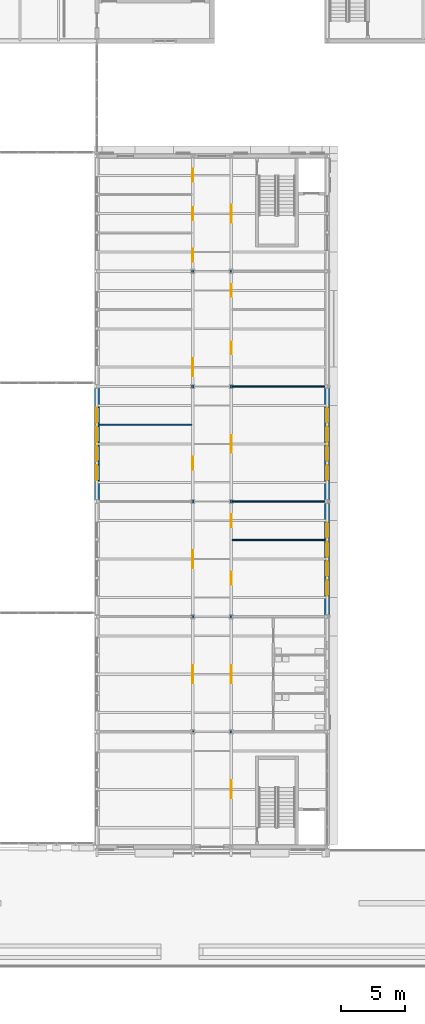
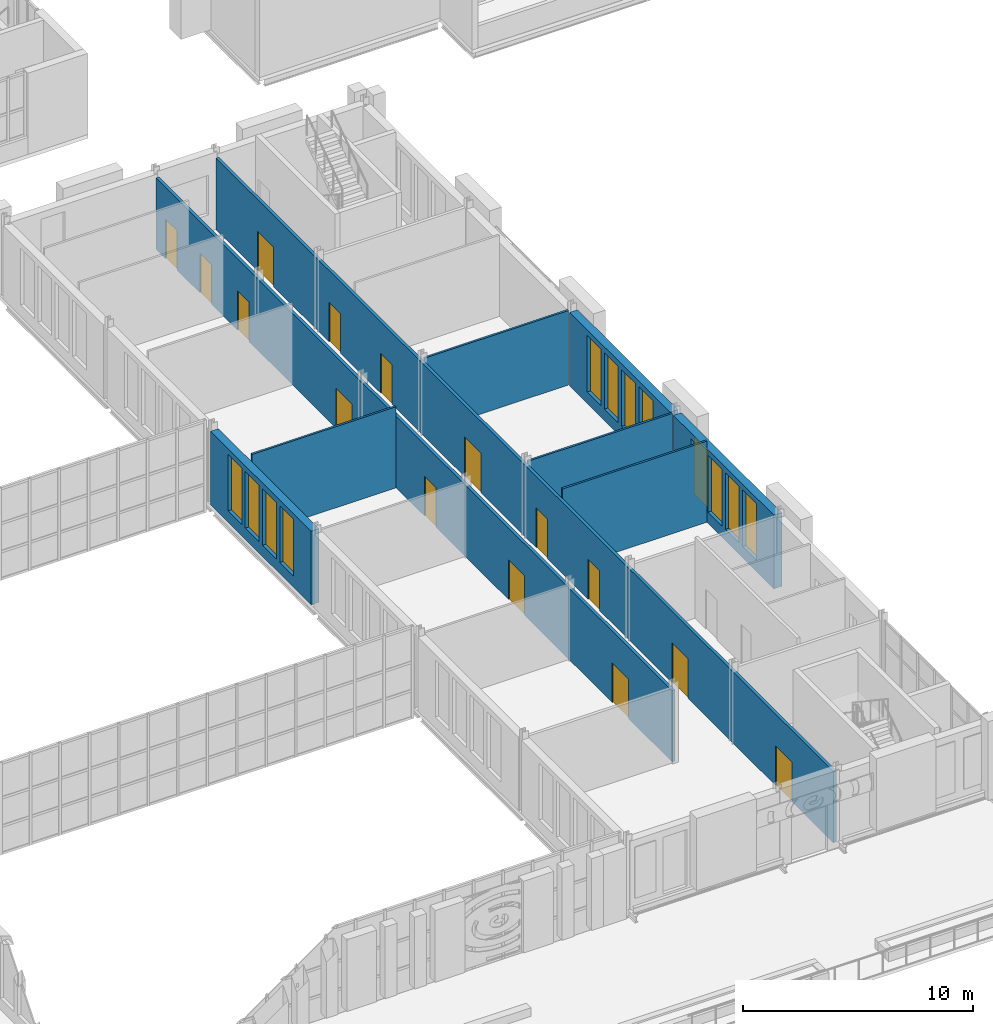
# One storey, part 77 of 134: 15 doors, 12 windows, 9 walls, 27 openings.
"""IFC4 building model written with IfcOpenShell, lengths in metres."""

from ifc_helpers import new_model, si_unit, direction, frame, frame_2d, origin, place, context, subcontext, project, spatial, rectangle, extrude, material, layer, layer_set, type_object, element, fill, save


model = new_model("IFC4")

# Units and contexts
model_context = context("Model", 3, precision=1e-05, world=origin(), true_north=direction((0.0, 1.0)))
body_context = subcontext(model_context, "Body", "Model", "MODEL_VIEW")
ifc_project = project(units=[si_unit("LENGTHUNIT", "METRE"), si_unit("AREAUNIT", "SQUARE_METRE"), si_unit("VOLUMEUNIT", "CUBIC_METRE"), si_unit("PLANEANGLEUNIT", "RADIAN"), si_unit("MASSUNIT", "GRAM", prefix="KILO")], contexts=[model_context])

# Site, building, storey
site_placement = place(None, origin())
site = spatial("IfcSite", under=ifc_project, at=site_placement, CompositionType="ELEMENT")
building_placement = place(site_placement, origin())
building = spatial("IfcBuilding", under=site, at=building_placement, Name="Golden Quay Civic Hall", CompositionType="ELEMENT")
storey_placement = place(building_placement, frame((0.0, 0.0, 5.39990234375)))
storey = spatial("IfcBuildingStorey", under=building, at=storey_placement, Name="L01", CompositionType="ELEMENT", Elevation=5.39990234375)

# Walls
ifc_material_1 = material(Name="Plasterboard on steel studs", Category="steel")
ifc_layer_1 = layer(ifc_material_1, 0.10009765625)
ifc_layer_set_1 = layer_set([ifc_layer_1], Name="Partition 100 stud")
wall_type_1 = type_object("IfcWallType", Name="Partition 100 stud", PredefinedType="PARTITIONING", material=ifc_layer_set_1)
wall_1_placement = place(storey_placement, frame((109.574951171875, 24.0, 0.0), z_axis=(0.0, 0.0, 1.0), x_axis=(1.0, 0.0, 0.0)))
element("IfcWall", 1, at=wall_1_placement, inside=storey, type_object=wall_type_1, Name="Partition L01-001", PredefinedType="PARTITIONING", context=body_context, shape_type="SweptSolid", body=[
    extrude(rectangle(XDim=7.22509765625, YDim=0.10009765625, at=frame_2d((3.612548828125, 0.0))), origin(), (0.0, 0.0, 1.0), 4.300048828125),
])
for number, where, z_axis, x_axis, name in (
    (2, (109.574951171875, 27.0, 0.0), (0.0, 0.0, 1.0), (1.0, 0.0, 0.0), "Partition L01-002"),
    (3, (109.574951171875, 36.0, 0.0), (0.0, 0.0, 1.0), (1.0, 0.0, 0.0), "Partition L01-003"),
):
    element("IfcWall", number, at=place(storey_placement, frame(where, z_axis=z_axis, x_axis=x_axis)), inside=storey, type_object=wall_type_1, Name=name, PredefinedType="PARTITIONING", context=body_context, shape_type="SweptSolid", body=[
        extrude(rectangle(XDim=7.22509765625, YDim=0.10009765625, at=frame_2d((3.612548828125, 0.0))), origin(), (0.0, 0.0, 1.0), 3.9501953125),
    ])
wall_2_placement = place(storey_placement, frame((99.199951171875, 33.0, 0.0), z_axis=(0.0, 0.0, 1.0), x_axis=(1.0, 0.0, 0.0)))
element("IfcWall", 4, at=wall_2_placement, inside=storey, type_object=wall_type_1, Name="Partition L01-009", PredefinedType="PARTITIONING", context=body_context, shape_type="SweptSolid", body=[
    extrude(rectangle(XDim=7.22509765625, YDim=0.10009765625, at=frame_2d((3.612548828125, 0.0))), origin(), (0.0, 0.0, 1.0), 4.300048828125),
])

# Wall, openings, doors
ifc_material_2 = material(Name="Plasterboard on steel studs", Category="steel")
ifc_layer_2 = layer(ifc_material_2, 0.14990234375)
ifc_layer_set_2 = layer_set([ifc_layer_2], Name="Partition 150 stud fire EI 60")
wall_type_2 = type_object("IfcWallType", Name="Partition 150 stud fire EI 60", PredefinedType="PARTITIONING", material=ifc_layer_set_2)
wall_3_placement = place(storey_placement, frame((109.5, 0.199951171875, 0.0), z_axis=(0.0, 0.0, 1.0), x_axis=(0.0, 1.0, 0.0)))
wall_3 = element("IfcWall", 5, at=wall_3_placement, inside=storey, type_object=wall_type_2, Name="Partition L01-014", PredefinedType="PARTITIONING", context=body_context, shape_type="SweptSolid", body=[
    extrude(rectangle(XDim=53.60009765625, YDim=0.14990234375, at=frame_2d((26.800048828125, 0.0))), origin(), (0.0, 0.0, 1.0), 3.780029296875),
])
opening_1_placement = place(wall_3_placement, frame((20.300048828125, 0.0, 0.0)))
opening_1 = element("IfcOpeningElement", 6, at=opening_1_placement, cuts=wall_3, Name="Opening L01-D109", PredefinedType="OPENING", context=body_context, shape_type="SweptSolid", body=[
    extrude(rectangle(XDim=1.0, YDim=2.10009765625, at=frame_2d((0.5, 1.050048828125))), frame((0.0, 0.0849609375, 0.0), z_axis=(0.0, -1.0, 0.0), x_axis=(1.0, 0.0, 0.0)), (0.0, 0.0, 1.0), 0.169921875),
])
opening_2_placement = place(wall_3_placement, frame((24.800048828125, 0.0, 0.0)))
opening_2 = element("IfcOpeningElement", 7, at=opening_2_placement, cuts=wall_3, Name="Opening L01-D110", PredefinedType="OPENING", context=body_context, shape_type="SweptSolid", body=[
    extrude(rectangle(XDim=1.0, YDim=2.10009765625, at=frame_2d((0.5, 1.050048828125))), frame((0.0, 0.0849609375, 0.0), z_axis=(0.0, -1.0, 0.0), x_axis=(1.0, 0.0, 0.0)), (0.0, 0.0, 1.0), 0.169921875),
])
opening_3_placement = place(wall_3_placement, frame((30.60009765625, 0.0, 0.0)))
opening_3 = element("IfcOpeningElement", 8, at=opening_3_placement, cuts=wall_3, Name="Opening L01-D111", PredefinedType="OPENING", context=body_context, shape_type="SweptSolid", body=[
    extrude(rectangle(XDim=1.39990234375, YDim=2.10009765625, at=frame_2d((0.699951171875, 1.050048828125))), frame((0.0, 0.0849609375, 0.0), z_axis=(0.0, -1.0, 0.0), x_axis=(1.0, 0.0, 0.0)), (0.0, 0.0, 1.0), 0.169921875),
])
opening_4_placement = place(wall_3_placement, frame((38.300048828125, 0.0, 0.0)))
opening_4 = element("IfcOpeningElement", 9, at=opening_4_placement, cuts=wall_3, Name="Opening L01-D112", PredefinedType="OPENING", context=body_context, shape_type="SweptSolid", body=[
    extrude(rectangle(XDim=1.0, YDim=2.10009765625, at=frame_2d((0.5, 1.050048828125))), frame((0.0, 0.0849609375, 0.0), z_axis=(0.0, -1.0, 0.0), x_axis=(1.0, 0.0, 0.0)), (0.0, 0.0, 1.0), 0.169921875),
])
opening_5_placement = place(wall_3_placement, frame((42.800048828125, 0.0, 0.0)))
opening_5 = element("IfcOpeningElement", 10, at=opening_5_placement, cuts=wall_3, Name="Opening L01-D113", PredefinedType="OPENING", context=body_context, shape_type="SweptSolid", body=[
    extrude(rectangle(XDim=1.0, YDim=2.10009765625, at=frame_2d((0.5, 1.050048828125))), frame((0.0, 0.0849609375, 0.0), z_axis=(0.0, -1.0, 0.0), x_axis=(1.0, 0.0, 0.0)), (0.0, 0.0, 1.0), 0.169921875),
])
opening_6_placement = place(wall_3_placement, frame((12.60009765625, 0.0, 0.0)))
opening_6 = element("IfcOpeningElement", 11, at=opening_6_placement, cuts=wall_3, Name="Opening L01-D121", PredefinedType="OPENING", context=body_context, shape_type="SweptSolid", body=[
    extrude(rectangle(XDim=1.39990234375, YDim=2.10009765625, at=frame_2d((0.699951171875, 1.050048828125))), frame((0.0, 0.0849609375, 0.0), z_axis=(0.0, -1.0, 0.0), x_axis=(1.0, 0.0, 0.0)), (0.0, 0.0, 1.0), 0.169921875),
])
opening_7_placement = place(wall_3_placement, frame((3.60009765625, 0.0, 0.0)))
opening_7 = element("IfcOpeningElement", 12, at=opening_7_placement, cuts=wall_3, Name="Opening L01-D126", PredefinedType="OPENING", context=body_context, shape_type="SweptSolid", body=[
    extrude(rectangle(XDim=1.39990234375, YDim=2.10009765625, at=frame_2d((0.699951171875, 1.050048828125))), frame((0.0, 0.0849609375, 0.0), z_axis=(0.0, -1.0, 0.0), x_axis=(1.0, 0.0, 0.0)), (0.0, 0.0, 1.0), 0.169921875),
])
opening_8_placement = place(wall_3_placement, frame((48.60009765625, 0.0, 0.0)))
opening_8 = element("IfcOpeningElement", 13, at=opening_8_placement, cuts=wall_3, Name="Opening L01-D128", PredefinedType="OPENING", context=body_context, shape_type="SweptSolid", body=[
    extrude(rectangle(XDim=1.39990234375, YDim=2.10009765625, at=frame_2d((0.699951171875, 1.050048828125))), frame((0.0, 0.0849609375, 0.0), z_axis=(0.0, -1.0, 0.0), x_axis=(1.0, 0.0, 0.0)), (0.0, 0.0, 1.0), 0.169921875),
])
ifc_material_3 = material(Name="Steel", Category="steel")
door_type_1 = type_object("IfcDoorType", Name="Steel double fire door FD30S 1400 x 2100", OperationType="DOUBLE_DOOR_SINGLE_SWING", PredefinedType="DOOR", material=ifc_material_3)
door_1_placement = place(opening_3_placement, frame((1.39990234375, 0.0, 0.0), z_axis=(0.0, 0.0, 1.0), x_axis=(-1.0, 0.0, 0.0)))
door_1 = element("IfcDoor", 14, at=door_1_placement, inside=storey, type_object=door_type_1, Name="Door L01-D111", OperationType="DOUBLE_DOOR_SINGLE_SWING", OverallHeight=2.10009765625, OverallWidth=1.39990234375, PredefinedType="DOOR", context=body_context, shape_type="SweptSolid", body=[
    extrude(rectangle(XDim=1.39990234375, YDim=2.10009765625, at=frame_2d((0.699951171875, 1.050048828125))), frame((0.0, 0.025146484375, 0.0), z_axis=(0.0, -1.0, 0.0), x_axis=(1.0, 0.0, 0.0)), (0.0, 0.0, 1.0), 0.050048828125),
])
fill(opening_3, door_1)
door_2_placement = place(opening_6_placement, frame((1.39990234375, 0.0, 0.0), z_axis=(0.0, 0.0, 1.0), x_axis=(-1.0, 0.0, 0.0)))
door_2 = element("IfcDoor", 15, at=door_2_placement, inside=storey, type_object=door_type_1, Name="Door L01-D121", OperationType="DOUBLE_DOOR_SINGLE_SWING", OverallHeight=2.10009765625, OverallWidth=1.39990234375, PredefinedType="DOOR", context=body_context, shape_type="SweptSolid", body=[
    extrude(rectangle(XDim=1.39990234375, YDim=2.10009765625, at=frame_2d((0.699951171875, 1.050048828125))), frame((0.0, 0.025146484375, 0.0), z_axis=(0.0, -1.0, 0.0), x_axis=(1.0, 0.0, 0.0)), (0.0, 0.0, 1.0), 0.050048828125),
])
fill(opening_6, door_2)
door_3_placement = place(opening_7_placement, origin())
door_3 = element("IfcDoor", 16, at=door_3_placement, inside=storey, type_object=door_type_1, Name="Door L01-D126", OperationType="DOUBLE_DOOR_SINGLE_SWING", OverallHeight=2.10009765625, OverallWidth=1.39990234375, PredefinedType="DOOR", context=body_context, shape_type="SweptSolid", body=[
    extrude(rectangle(XDim=1.39990234375, YDim=2.10009765625, at=frame_2d((0.699951171875, 1.050048828125))), frame((0.0, 0.02490234375, 0.0), z_axis=(0.0, -1.0, 0.0), x_axis=(1.0, 0.0, 0.0)), (0.0, 0.0, 1.0), 0.050048828125),
])
fill(opening_7, door_3)
door_4_placement = place(opening_8_placement, origin())
door_4 = element("IfcDoor", 17, at=door_4_placement, inside=storey, type_object=door_type_1, Name="Door L01-D128", OperationType="DOUBLE_DOOR_SINGLE_SWING", OverallHeight=2.10009765625, OverallWidth=1.39990234375, PredefinedType="DOOR", context=body_context, shape_type="SweptSolid", body=[
    extrude(rectangle(XDim=1.39990234375, YDim=2.10009765625, at=frame_2d((0.699951171875, 1.050048828125))), frame((0.0, 0.02490234375, 0.0), z_axis=(0.0, -1.0, 0.0), x_axis=(1.0, 0.0, 0.0)), (0.0, 0.0, 1.0), 0.050048828125),
])
fill(opening_8, door_4)
ifc_material_4 = material(Name="Steel", Category="steel")
door_type_2 = type_object("IfcDoorType", Name="Steel fire door FD30S 1000 x 2100", OperationType="SINGLE_SWING_LEFT", PredefinedType="DOOR", material=ifc_material_4)
door_5_placement = place(opening_1_placement, frame((1.0, 0.0, 0.0), z_axis=(0.0, 0.0, 1.0), x_axis=(-1.0, 0.0, 0.0)))
door_5 = element("IfcDoor", 18, at=door_5_placement, inside=storey, type_object=door_type_2, Name="Door L01-D109", OperationType="SINGLE_SWING_RIGHT", OverallHeight=2.10009765625, OverallWidth=1.0, PredefinedType="DOOR", context=body_context, shape_type="SweptSolid", body=[
    extrude(rectangle(XDim=1.0, YDim=2.10009765625, at=frame_2d((0.5, 1.050048828125))), frame((0.0, 0.025146484375, 0.0), z_axis=(0.0, -1.0, 0.0), x_axis=(1.0, 0.0, 0.0)), (0.0, 0.0, 1.0), 0.050048828125),
])
fill(opening_1, door_5)
door_6_placement = place(opening_2_placement, frame((1.0, 0.0, 0.0), z_axis=(0.0, 0.0, 1.0), x_axis=(-1.0, 0.0, 0.0)))
door_6 = element("IfcDoor", 19, at=door_6_placement, inside=storey, type_object=door_type_2, Name="Door L01-D110", OperationType="SINGLE_SWING_RIGHT", OverallHeight=2.10009765625, OverallWidth=1.0, PredefinedType="DOOR", context=body_context, shape_type="SweptSolid", body=[
    extrude(rectangle(XDim=1.0, YDim=2.10009765625, at=frame_2d((0.5, 1.050048828125))), frame((0.0, 0.025146484375, 0.0), z_axis=(0.0, -1.0, 0.0), x_axis=(1.0, 0.0, 0.0)), (0.0, 0.0, 1.0), 0.050048828125),
])
fill(opening_2, door_6)
door_7_placement = place(opening_4_placement, frame((1.0, 0.0, 0.0), z_axis=(0.0, 0.0, 1.0), x_axis=(-1.0, 0.0, 0.0)))
door_7 = element("IfcDoor", 20, at=door_7_placement, inside=storey, type_object=door_type_2, Name="Door L01-D112", OperationType="SINGLE_SWING_RIGHT", OverallHeight=2.10009765625, OverallWidth=1.0, PredefinedType="DOOR", context=body_context, shape_type="SweptSolid", body=[
    extrude(rectangle(XDim=1.0, YDim=2.10009765625, at=frame_2d((0.5, 1.050048828125))), frame((0.0, 0.025146484375, 0.0), z_axis=(0.0, -1.0, 0.0), x_axis=(1.0, 0.0, 0.0)), (0.0, 0.0, 1.0), 0.050048828125),
])
fill(opening_4, door_7)
door_8_placement = place(opening_5_placement, frame((1.0, 0.0, 0.0), z_axis=(0.0, 0.0, 1.0), x_axis=(-1.0, 0.0, 0.0)))
door_8 = element("IfcDoor", 21, at=door_8_placement, inside=storey, type_object=door_type_2, Name="Door L01-D113", OperationType="SINGLE_SWING_RIGHT", OverallHeight=2.10009765625, OverallWidth=1.0, PredefinedType="DOOR", context=body_context, shape_type="SweptSolid", body=[
    extrude(rectangle(XDim=1.0, YDim=2.10009765625, at=frame_2d((0.5, 1.050048828125))), frame((0.0, 0.025146484375, 0.0), z_axis=(0.0, -1.0, 0.0), x_axis=(1.0, 0.0, 0.0)), (0.0, 0.0, 1.0), 0.050048828125),
])
fill(opening_5, door_8)

wall_4_placement = place(storey_placement, frame((106.5, 9.0, 0.0), z_axis=(0.0, 0.0, 1.0), x_axis=(0.0, 1.0, 0.0)))
wall_4 = element("IfcWall", 22, at=wall_4_placement, inside=storey, type_object=wall_type_2, Name="Partition L01-015", PredefinedType="PARTITIONING", context=body_context, shape_type="SweptSolid", body=[
    extrude(rectangle(XDim=44.800048828125, YDim=0.14990234375, at=frame_2d((22.39990234375, 0.0))), origin(), (0.0, 0.0, 1.0), 3.780029296875),
])
opening_9_placement = place(wall_4_placement, frame((3.800048828125, 0.0, 0.0)))
opening_9 = element("IfcOpeningElement", 23, at=opening_9_placement, cuts=wall_4, Name="Opening L01-D114", PredefinedType="OPENING", context=body_context, shape_type="SweptSolid", body=[
    extrude(rectangle(XDim=1.39990234375, YDim=2.10009765625, at=frame_2d((0.699951171875, 1.050048828125))), frame((0.0, 0.0849609375, 0.0), z_axis=(0.0, -1.0, 0.0), x_axis=(1.0, 0.0, 0.0)), (0.0, 0.0, 1.0), 0.169921875),
])
opening_10_placement = place(wall_4_placement, frame((12.800048828125, 0.0, 0.0)))
opening_10 = element("IfcOpeningElement", 24, at=opening_10_placement, cuts=wall_4, Name="Opening L01-D115", PredefinedType="OPENING", context=body_context, shape_type="SweptSolid", body=[
    extrude(rectangle(XDim=1.39990234375, YDim=2.10009765625, at=frame_2d((0.699951171875, 1.050048828125))), frame((0.0, 0.0849609375, 0.0), z_axis=(0.0, -1.0, 0.0), x_axis=(1.0, 0.0, 0.0)), (0.0, 0.0, 1.0), 0.169921875),
])
opening_11_placement = place(wall_4_placement, frame((20.5, 0.0, 0.0)))
opening_11 = element("IfcOpeningElement", 25, at=opening_11_placement, cuts=wall_4, Name="Opening L01-D116", PredefinedType="OPENING", context=body_context, shape_type="SweptSolid", body=[
    extrude(rectangle(XDim=1.0, YDim=2.10009765625, at=frame_2d((0.5, 1.050048828125))), frame((0.0, 0.0849609375, 0.0), z_axis=(0.0, -1.0, 0.0), x_axis=(1.0, 0.0, 0.0)), (0.0, 0.0, 1.0), 0.169921875),
])
opening_12_placement = place(wall_4_placement, frame((27.800048828125, 0.0, 0.0)))
opening_12 = element("IfcOpeningElement", 26, at=opening_12_placement, cuts=wall_4, Name="Opening L01-D117", PredefinedType="OPENING", context=body_context, shape_type="SweptSolid", body=[
    extrude(rectangle(XDim=1.39990234375, YDim=2.10009765625, at=frame_2d((0.699951171875, 1.050048828125))), frame((0.0, 0.0849609375, 0.0), z_axis=(0.0, -1.0, 0.0), x_axis=(1.0, 0.0, 0.0)), (0.0, 0.0, 1.0), 0.169921875),
])
opening_13_placement = place(wall_4_placement, frame((36.75, 0.0, 0.0)))
opening_13 = element("IfcOpeningElement", 27, at=opening_13_placement, cuts=wall_4, Name="Opening L01-D118", PredefinedType="OPENING", context=body_context, shape_type="SweptSolid", body=[
    extrude(rectangle(XDim=1.0, YDim=2.10009765625, at=frame_2d((0.5, 1.050048828125))), frame((0.0, 0.0849609375, 0.0), z_axis=(0.0, -1.0, 0.0), x_axis=(1.0, 0.0, 0.0)), (0.0, 0.0, 1.0), 0.169921875),
])
opening_14_placement = place(wall_4_placement, frame((40.0, 0.0, 0.0)))
opening_14 = element("IfcOpeningElement", 28, at=opening_14_placement, cuts=wall_4, Name="Opening L01-D119", PredefinedType="OPENING", context=body_context, shape_type="SweptSolid", body=[
    extrude(rectangle(XDim=1.0, YDim=2.10009765625, at=frame_2d((0.5, 1.050048828125))), frame((0.0, 0.0849609375, 0.0), z_axis=(0.0, -1.0, 0.0), x_axis=(1.0, 0.0, 0.0)), (0.0, 0.0, 1.0), 0.169921875),
])
opening_15_placement = place(wall_4_placement, frame((43.0, 0.0, 0.0)))
opening_15 = element("IfcOpeningElement", 29, at=opening_15_placement, cuts=wall_4, Name="Opening L01-D120", PredefinedType="OPENING", context=body_context, shape_type="SweptSolid", body=[
    extrude(rectangle(XDim=1.0, YDim=2.10009765625, at=frame_2d((0.5, 1.050048828125))), frame((0.0, 0.0849609375, 0.0), z_axis=(0.0, -1.0, 0.0), x_axis=(1.0, 0.0, 0.0)), (0.0, 0.0, 1.0), 0.169921875),
])
door_9_placement = place(opening_9_placement, origin())
door_9 = element("IfcDoor", 30, at=door_9_placement, inside=storey, type_object=door_type_1, Name="Door L01-D114", OperationType="DOUBLE_DOOR_SINGLE_SWING", OverallHeight=2.10009765625, OverallWidth=1.39990234375, PredefinedType="DOOR", context=body_context, shape_type="SweptSolid", body=[
    extrude(rectangle(XDim=1.39990234375, YDim=2.10009765625, at=frame_2d((0.699951171875, 1.050048828125))), frame((0.0, 0.02490234375, 0.0), z_axis=(0.0, -1.0, 0.0), x_axis=(1.0, 0.0, 0.0)), (0.0, 0.0, 1.0), 0.050048828125),
])
fill(opening_9, door_9)
door_10_placement = place(opening_10_placement, origin())
door_10 = element("IfcDoor", 31, at=door_10_placement, inside=storey, type_object=door_type_1, Name="Door L01-D115", OperationType="DOUBLE_DOOR_SINGLE_SWING", OverallHeight=2.10009765625, OverallWidth=1.39990234375, PredefinedType="DOOR", context=body_context, shape_type="SweptSolid", body=[
    extrude(rectangle(XDim=1.39990234375, YDim=2.10009765625, at=frame_2d((0.699951171875, 1.050048828125))), frame((0.0, 0.02490234375, 0.0), z_axis=(0.0, -1.0, 0.0), x_axis=(1.0, 0.0, 0.0)), (0.0, 0.0, 1.0), 0.050048828125),
])
fill(opening_10, door_10)
door_11_placement = place(opening_12_placement, origin())
door_11 = element("IfcDoor", 32, at=door_11_placement, inside=storey, type_object=door_type_1, Name="Door L01-D117", OperationType="DOUBLE_DOOR_SINGLE_SWING", OverallHeight=2.10009765625, OverallWidth=1.39990234375, PredefinedType="DOOR", context=body_context, shape_type="SweptSolid", body=[
    extrude(rectangle(XDim=1.39990234375, YDim=2.10009765625, at=frame_2d((0.699951171875, 1.050048828125))), frame((0.0, 0.02490234375, 0.0), z_axis=(0.0, -1.0, 0.0), x_axis=(1.0, 0.0, 0.0)), (0.0, 0.0, 1.0), 0.050048828125),
])
fill(opening_12, door_11)
door_12_placement = place(opening_11_placement, origin())
door_12 = element("IfcDoor", 33, at=door_12_placement, inside=storey, type_object=door_type_2, Name="Door L01-D116", OperationType="SINGLE_SWING_LEFT", OverallHeight=2.10009765625, OverallWidth=1.0, PredefinedType="DOOR", context=body_context, shape_type="SweptSolid", body=[
    extrude(rectangle(XDim=1.0, YDim=2.10009765625, at=frame_2d((0.5, 1.050048828125))), frame((0.0, 0.02490234375, 0.0), z_axis=(0.0, -1.0, 0.0), x_axis=(1.0, 0.0, 0.0)), (0.0, 0.0, 1.0), 0.050048828125),
])
fill(opening_11, door_12)
door_13_placement = place(opening_13_placement, origin())
door_13 = element("IfcDoor", 34, at=door_13_placement, inside=storey, type_object=door_type_2, Name="Door L01-D118", OperationType="SINGLE_SWING_LEFT", OverallHeight=2.10009765625, OverallWidth=1.0, PredefinedType="DOOR", context=body_context, shape_type="SweptSolid", body=[
    extrude(rectangle(XDim=1.0, YDim=2.10009765625, at=frame_2d((0.5, 1.050048828125))), frame((0.0, 0.02490234375, 0.0), z_axis=(0.0, -1.0, 0.0), x_axis=(1.0, 0.0, 0.0)), (0.0, 0.0, 1.0), 0.050048828125),
])
fill(opening_13, door_13)
door_14_placement = place(opening_14_placement, origin())
door_14 = element("IfcDoor", 35, at=door_14_placement, inside=storey, type_object=door_type_2, Name="Door L01-D119", OperationType="SINGLE_SWING_LEFT", OverallHeight=2.10009765625, OverallWidth=1.0, PredefinedType="DOOR", context=body_context, shape_type="SweptSolid", body=[
    extrude(rectangle(XDim=1.0, YDim=2.10009765625, at=frame_2d((0.5, 1.050048828125))), frame((0.0, 0.02490234375, 0.0), z_axis=(0.0, -1.0, 0.0), x_axis=(1.0, 0.0, 0.0)), (0.0, 0.0, 1.0), 0.050048828125),
])
fill(opening_14, door_14)
door_15_placement = place(opening_15_placement, origin())
door_15 = element("IfcDoor", 36, at=door_15_placement, inside=storey, type_object=door_type_2, Name="Door L01-D120", OperationType="SINGLE_SWING_LEFT", OverallHeight=2.10009765625, OverallWidth=1.0, PredefinedType="DOOR", context=body_context, shape_type="SweptSolid", body=[
    extrude(rectangle(XDim=1.0, YDim=2.10009765625, at=frame_2d((0.5, 1.050048828125))), frame((0.0, 0.02490234375, 0.0), z_axis=(0.0, -1.0, 0.0), x_axis=(1.0, 0.0, 0.0)), (0.0, 0.0, 1.0), 0.050048828125),
])
fill(opening_15, door_15)

# Wall, openings, windows
ifc_material_5 = material(Name="Clay block, rendered, cream")
ifc_layer_3 = layer(ifc_material_5, 0.39990234375)
ifc_layer_set_3 = layer_set([ifc_layer_3], Name="Rendered block external wall 400")
wall_type_3 = type_object("IfcWallType", Name="Rendered block external wall 400", PredefinedType="STANDARD", material=ifc_layer_set_3)
wall_5_placement = place(storey_placement, frame((99.0, 27.135009765625, 0.0), z_axis=(0.0, 0.0, 1.0), x_axis=(0.0, 1.0, 0.0)))
wall_5 = element("IfcWall", 37, at=wall_5_placement, inside=storey, type_object=wall_type_3, Name="Rendered block external wall 400 L01 38", PredefinedType="STANDARD", context=body_context, shape_type="SweptSolid", body=[
    extrude(rectangle(XDim=8.72998046875, YDim=0.39990234375, at=frame_2d((4.364990234375, 0.0))), origin(), (0.0, 0.0, 1.0), 3.900146484375),
])
opening_16_placement = place(wall_5_placement, frame((1.514892578125, 0.0, 0.60009765625)))
opening_16 = element("IfcOpeningElement", 38, at=opening_16_placement, cuts=wall_5, Name="Opening WN5", PredefinedType="OPENING", context=body_context, shape_type="SweptSolid", body=[
    extrude(rectangle(XDim=1.199951171875, YDim=3.0, at=frame_2d((0.60009765625, 1.5))), frame((0.0, 0.2099609375, 0.0), z_axis=(0.0, -1.0, 0.0), x_axis=(1.0, 0.0, 0.0)), (0.0, 0.0, 1.0), 0.419921875),
])
opening_17_placement = place(wall_5_placement, frame((3.014892578125, 0.0, 0.60009765625)))
opening_17 = element("IfcOpeningElement", 39, at=opening_17_placement, cuts=wall_5, Name="Opening WN5", PredefinedType="OPENING", context=body_context, shape_type="SweptSolid", body=[
    extrude(rectangle(XDim=1.199951171875, YDim=3.0, at=frame_2d((0.60009765625, 1.5))), frame((0.0, 0.2099609375, 0.0), z_axis=(0.0, -1.0, 0.0), x_axis=(1.0, 0.0, 0.0)), (0.0, 0.0, 1.0), 0.419921875),
])
opening_18_placement = place(wall_5_placement, frame((4.514892578125, 0.0, 0.60009765625)))
opening_18 = element("IfcOpeningElement", 40, at=opening_18_placement, cuts=wall_5, Name="Opening WN5", PredefinedType="OPENING", context=body_context, shape_type="SweptSolid", body=[
    extrude(rectangle(XDim=1.199951171875, YDim=3.0, at=frame_2d((0.60009765625, 1.5))), frame((0.0, 0.2099609375, 0.0), z_axis=(0.0, -1.0, 0.0), x_axis=(1.0, 0.0, 0.0)), (0.0, 0.0, 1.0), 0.419921875),
])
opening_19_placement = place(wall_5_placement, frame((6.014892578125, 0.0, 0.60009765625)))
opening_19 = element("IfcOpeningElement", 41, at=opening_19_placement, cuts=wall_5, Name="Opening WN5", PredefinedType="OPENING", context=body_context, shape_type="SweptSolid", body=[
    extrude(rectangle(XDim=1.199951171875, YDim=3.0, at=frame_2d((0.60009765625, 1.5))), frame((0.0, 0.2099609375, 0.0), z_axis=(0.0, -1.0, 0.0), x_axis=(1.0, 0.0, 0.0)), (0.0, 0.0, 1.0), 0.419921875),
])
ifc_material_6 = material(Name="Aluminium frame, double glazed", Category="aluminium")
window_type = type_object("IfcWindowType", Name="Golden grid window 1200 x 3000", PartitioningType="SINGLE_PANEL", PredefinedType="WINDOW", material=ifc_material_6)
window_1_placement = place(opening_16_placement, origin())
window_1 = element("IfcWindow", 42, at=window_1_placement, inside=storey, type_object=window_type, Name="Golden grid window 1200 x 3000 L01 82", OverallHeight=3.0, OverallWidth=1.199951171875, PartitioningType="SINGLE_PANEL", PredefinedType="WINDOW", context=body_context, shape_type="SweptSolid", body=[
    extrude(rectangle(XDim=1.199951171875, YDim=3.0, at=frame_2d((0.60009765625, 1.5))), frame((0.0, 0.030029296875, 0.0), z_axis=(0.0, -1.0, 0.0), x_axis=(1.0, 0.0, 0.0)), (0.0, 0.0, 1.0), 0.06005859375),
])
fill(opening_16, window_1)
window_2_placement = place(opening_17_placement, origin())
window_2 = element("IfcWindow", 43, at=window_2_placement, inside=storey, type_object=window_type, Name="Golden grid window 1200 x 3000 L01 83", OverallHeight=3.0, OverallWidth=1.199951171875, PartitioningType="SINGLE_PANEL", PredefinedType="WINDOW", context=body_context, shape_type="SweptSolid", body=[
    extrude(rectangle(XDim=1.199951171875, YDim=3.0, at=frame_2d((0.60009765625, 1.5))), frame((0.0, 0.030029296875, 0.0), z_axis=(0.0, -1.0, 0.0), x_axis=(1.0, 0.0, 0.0)), (0.0, 0.0, 1.0), 0.06005859375),
])
fill(opening_17, window_2)
window_3_placement = place(opening_18_placement, origin())
window_3 = element("IfcWindow", 44, at=window_3_placement, inside=storey, type_object=window_type, Name="Golden grid window 1200 x 3000 L01 84", OverallHeight=3.0, OverallWidth=1.199951171875, PartitioningType="SINGLE_PANEL", PredefinedType="WINDOW", context=body_context, shape_type="SweptSolid", body=[
    extrude(rectangle(XDim=1.199951171875, YDim=3.0, at=frame_2d((0.60009765625, 1.5))), frame((0.0, 0.030029296875, 0.0), z_axis=(0.0, -1.0, 0.0), x_axis=(1.0, 0.0, 0.0)), (0.0, 0.0, 1.0), 0.06005859375),
])
fill(opening_18, window_3)
window_4_placement = place(opening_19_placement, origin())
window_4 = element("IfcWindow", 45, at=window_4_placement, inside=storey, type_object=window_type, Name="Golden grid window 1200 x 3000 L01 85", OverallHeight=3.0, OverallWidth=1.199951171875, PartitioningType="SINGLE_PANEL", PredefinedType="WINDOW", context=body_context, shape_type="SweptSolid", body=[
    extrude(rectangle(XDim=1.199951171875, YDim=3.0, at=frame_2d((0.60009765625, 1.5))), frame((0.0, 0.030029296875, 0.0), z_axis=(0.0, -1.0, 0.0), x_axis=(1.0, 0.0, 0.0)), (0.0, 0.0, 1.0), 0.06005859375),
])
fill(opening_19, window_4)

wall_6_placement = place(storey_placement, frame((117.0, 26.864990234375, 0.0), z_axis=(0.0, 0.0, 1.0), x_axis=(0.0, -1.0, 0.0)))
wall_6 = element("IfcWall", 46, at=wall_6_placement, inside=storey, type_object=wall_type_3, Name="Rendered block external wall 400 L01 44", PredefinedType="STANDARD", context=body_context, shape_type="SweptSolid", body=[
    extrude(rectangle(XDim=8.72998046875, YDim=0.39990234375, at=frame_2d((4.364990234375, 0.0))), origin(), (0.0, 0.0, 1.0), 3.900146484375),
])
opening_20_placement = place(wall_6_placement, frame((6.014892578125, 0.0, 0.60009765625)))
opening_20 = element("IfcOpeningElement", 47, at=opening_20_placement, cuts=wall_6, Name="Opening WN5", PredefinedType="OPENING", context=body_context, shape_type="SweptSolid", body=[
    extrude(rectangle(XDim=1.199951171875, YDim=3.0, at=frame_2d((0.60009765625, 1.5))), frame((0.0, 0.2099609375, 0.0), z_axis=(0.0, -1.0, 0.0), x_axis=(1.0, 0.0, 0.0)), (0.0, 0.0, 1.0), 0.419921875),
])
opening_21_placement = place(wall_6_placement, frame((4.514892578125, 0.0, 0.60009765625)))
opening_21 = element("IfcOpeningElement", 48, at=opening_21_placement, cuts=wall_6, Name="Opening WN5", PredefinedType="OPENING", context=body_context, shape_type="SweptSolid", body=[
    extrude(rectangle(XDim=1.199951171875, YDim=3.0, at=frame_2d((0.60009765625, 1.5))), frame((0.0, 0.2099609375, 0.0), z_axis=(0.0, -1.0, 0.0), x_axis=(1.0, 0.0, 0.0)), (0.0, 0.0, 1.0), 0.419921875),
])
opening_22_placement = place(wall_6_placement, frame((3.014892578125, 0.0, 0.60009765625)))
opening_22 = element("IfcOpeningElement", 49, at=opening_22_placement, cuts=wall_6, Name="Opening WN5", PredefinedType="OPENING", context=body_context, shape_type="SweptSolid", body=[
    extrude(rectangle(XDim=1.199951171875, YDim=3.0, at=frame_2d((0.60009765625, 1.5))), frame((0.0, 0.2099609375, 0.0), z_axis=(0.0, -1.0, 0.0), x_axis=(1.0, 0.0, 0.0)), (0.0, 0.0, 1.0), 0.419921875),
])
opening_23_placement = place(wall_6_placement, frame((1.514892578125, 0.0, 0.60009765625)))
opening_23 = element("IfcOpeningElement", 50, at=opening_23_placement, cuts=wall_6, Name="Opening WN5", PredefinedType="OPENING", context=body_context, shape_type="SweptSolid", body=[
    extrude(rectangle(XDim=1.199951171875, YDim=3.0, at=frame_2d((0.60009765625, 1.5))), frame((0.0, 0.2099609375, 0.0), z_axis=(0.0, -1.0, 0.0), x_axis=(1.0, 0.0, 0.0)), (0.0, 0.0, 1.0), 0.419921875),
])
window_5_placement = place(opening_20_placement, origin())
window_5 = element("IfcWindow", 51, at=window_5_placement, inside=storey, type_object=window_type, Name="Golden grid window 1200 x 3000 L01 95", OverallHeight=3.0, OverallWidth=1.199951171875, PartitioningType="SINGLE_PANEL", PredefinedType="WINDOW", context=body_context, shape_type="SweptSolid", body=[
    extrude(rectangle(XDim=1.199951171875, YDim=3.0, at=frame_2d((0.60009765625, 1.5))), frame((0.0, 0.030029296875, 0.0), z_axis=(0.0, -1.0, 0.0), x_axis=(1.0, 0.0, 0.0)), (0.0, 0.0, 1.0), 0.06005859375),
])
fill(opening_20, window_5)
window_6_placement = place(opening_21_placement, origin())
window_6 = element("IfcWindow", 52, at=window_6_placement, inside=storey, type_object=window_type, Name="Golden grid window 1200 x 3000 L01 96", OverallHeight=3.0, OverallWidth=1.199951171875, PartitioningType="SINGLE_PANEL", PredefinedType="WINDOW", context=body_context, shape_type="SweptSolid", body=[
    extrude(rectangle(XDim=1.199951171875, YDim=3.0, at=frame_2d((0.60009765625, 1.5))), frame((0.0, 0.030029296875, 0.0), z_axis=(0.0, -1.0, 0.0), x_axis=(1.0, 0.0, 0.0)), (0.0, 0.0, 1.0), 0.06005859375),
])
fill(opening_21, window_6)
window_7_placement = place(opening_22_placement, origin())
window_7 = element("IfcWindow", 53, at=window_7_placement, inside=storey, type_object=window_type, Name="Golden grid window 1200 x 3000 L01 97", OverallHeight=3.0, OverallWidth=1.199951171875, PartitioningType="SINGLE_PANEL", PredefinedType="WINDOW", context=body_context, shape_type="SweptSolid", body=[
    extrude(rectangle(XDim=1.199951171875, YDim=3.0, at=frame_2d((0.60009765625, 1.5))), frame((0.0, 0.030029296875, 0.0), z_axis=(0.0, -1.0, 0.0), x_axis=(1.0, 0.0, 0.0)), (0.0, 0.0, 1.0), 0.06005859375),
])
fill(opening_22, window_7)
window_8_placement = place(opening_23_placement, origin())
window_8 = element("IfcWindow", 54, at=window_8_placement, inside=storey, type_object=window_type, Name="Golden grid window 1200 x 3000 L01 98", OverallHeight=3.0, OverallWidth=1.199951171875, PartitioningType="SINGLE_PANEL", PredefinedType="WINDOW", context=body_context, shape_type="SweptSolid", body=[
    extrude(rectangle(XDim=1.199951171875, YDim=3.0, at=frame_2d((0.60009765625, 1.5))), frame((0.0, 0.030029296875, 0.0), z_axis=(0.0, -1.0, 0.0), x_axis=(1.0, 0.0, 0.0)), (0.0, 0.0, 1.0), 0.06005859375),
])
fill(opening_23, window_8)

wall_7_placement = place(storey_placement, frame((117.0, 35.864990234375, 0.0), z_axis=(0.0, 0.0, 1.0), x_axis=(0.0, -1.0, 0.0)))
wall_7 = element("IfcWall", 55, at=wall_7_placement, inside=storey, type_object=wall_type_3, Name="Rendered block external wall 400 L01 45", PredefinedType="STANDARD", context=body_context, shape_type="SweptSolid", body=[
    extrude(rectangle(XDim=8.72998046875, YDim=0.39990234375, at=frame_2d((4.364990234375, 0.0))), origin(), (0.0, 0.0, 1.0), 3.900146484375),
])
opening_24_placement = place(wall_7_placement, frame((6.014892578125, 0.0, 0.60009765625)))
opening_24 = element("IfcOpeningElement", 56, at=opening_24_placement, cuts=wall_7, Name="Opening WN5", PredefinedType="OPENING", context=body_context, shape_type="SweptSolid", body=[
    extrude(rectangle(XDim=1.199951171875, YDim=3.0, at=frame_2d((0.60009765625, 1.5))), frame((0.0, 0.2099609375, 0.0), z_axis=(0.0, -1.0, 0.0), x_axis=(1.0, 0.0, 0.0)), (0.0, 0.0, 1.0), 0.419921875),
])
opening_25_placement = place(wall_7_placement, frame((4.514892578125, 0.0, 0.60009765625)))
opening_25 = element("IfcOpeningElement", 57, at=opening_25_placement, cuts=wall_7, Name="Opening WN5", PredefinedType="OPENING", context=body_context, shape_type="SweptSolid", body=[
    extrude(rectangle(XDim=1.199951171875, YDim=3.0, at=frame_2d((0.60009765625, 1.5))), frame((0.0, 0.2099609375, 0.0), z_axis=(0.0, -1.0, 0.0), x_axis=(1.0, 0.0, 0.0)), (0.0, 0.0, 1.0), 0.419921875),
])
opening_26_placement = place(wall_7_placement, frame((3.014892578125, 0.0, 0.60009765625)))
opening_26 = element("IfcOpeningElement", 58, at=opening_26_placement, cuts=wall_7, Name="Opening WN5", PredefinedType="OPENING", context=body_context, shape_type="SweptSolid", body=[
    extrude(rectangle(XDim=1.199951171875, YDim=3.0, at=frame_2d((0.60009765625, 1.5))), frame((0.0, 0.2099609375, 0.0), z_axis=(0.0, -1.0, 0.0), x_axis=(1.0, 0.0, 0.0)), (0.0, 0.0, 1.0), 0.419921875),
])
opening_27_placement = place(wall_7_placement, frame((1.514892578125, 0.0, 0.60009765625)))
opening_27 = element("IfcOpeningElement", 59, at=opening_27_placement, cuts=wall_7, Name="Opening WN5", PredefinedType="OPENING", context=body_context, shape_type="SweptSolid", body=[
    extrude(rectangle(XDim=1.199951171875, YDim=3.0, at=frame_2d((0.60009765625, 1.5))), frame((0.0, 0.2099609375, 0.0), z_axis=(0.0, -1.0, 0.0), x_axis=(1.0, 0.0, 0.0)), (0.0, 0.0, 1.0), 0.419921875),
])
window_9_placement = place(opening_24_placement, origin())
window_9 = element("IfcWindow", 60, at=window_9_placement, inside=storey, type_object=window_type, Name="Golden grid window 1200 x 3000 L01 99", OverallHeight=3.0, OverallWidth=1.199951171875, PartitioningType="SINGLE_PANEL", PredefinedType="WINDOW", context=body_context, shape_type="SweptSolid", body=[
    extrude(rectangle(XDim=1.199951171875, YDim=3.0, at=frame_2d((0.60009765625, 1.5))), frame((0.0, 0.030029296875, 0.0), z_axis=(0.0, -1.0, 0.0), x_axis=(1.0, 0.0, 0.0)), (0.0, 0.0, 1.0), 0.06005859375),
])
fill(opening_24, window_9)
window_10_placement = place(opening_25_placement, origin())
window_10 = element("IfcWindow", 61, at=window_10_placement, inside=storey, type_object=window_type, Name="Golden grid window 1200 x 3000 L01 100", OverallHeight=3.0, OverallWidth=1.199951171875, PartitioningType="SINGLE_PANEL", PredefinedType="WINDOW", context=body_context, shape_type="SweptSolid", body=[
    extrude(rectangle(XDim=1.199951171875, YDim=3.0, at=frame_2d((0.60009765625, 1.5))), frame((0.0, 0.030029296875, 0.0), z_axis=(0.0, -1.0, 0.0), x_axis=(1.0, 0.0, 0.0)), (0.0, 0.0, 1.0), 0.06005859375),
])
fill(opening_25, window_10)
window_11_placement = place(opening_26_placement, origin())
window_11 = element("IfcWindow", 62, at=window_11_placement, inside=storey, type_object=window_type, Name="Golden grid window 1200 x 3000 L01 101", OverallHeight=3.0, OverallWidth=1.199951171875, PartitioningType="SINGLE_PANEL", PredefinedType="WINDOW", context=body_context, shape_type="SweptSolid", body=[
    extrude(rectangle(XDim=1.199951171875, YDim=3.0, at=frame_2d((0.60009765625, 1.5))), frame((0.0, 0.030029296875, 0.0), z_axis=(0.0, -1.0, 0.0), x_axis=(1.0, 0.0, 0.0)), (0.0, 0.0, 1.0), 0.06005859375),
])
fill(opening_26, window_11)
window_12_placement = place(opening_27_placement, origin())
window_12 = element("IfcWindow", 63, at=window_12_placement, inside=storey, type_object=window_type, Name="Golden grid window 1200 x 3000 L01 102", OverallHeight=3.0, OverallWidth=1.199951171875, PartitioningType="SINGLE_PANEL", PredefinedType="WINDOW", context=body_context, shape_type="SweptSolid", body=[
    extrude(rectangle(XDim=1.199951171875, YDim=3.0, at=frame_2d((0.60009765625, 1.5))), frame((0.0, 0.030029296875, 0.0), z_axis=(0.0, -1.0, 0.0), x_axis=(1.0, 0.0, 0.0)), (0.0, 0.0, 1.0), 0.06005859375),
])
fill(opening_27, window_12)

save(model, "model.ifc")
